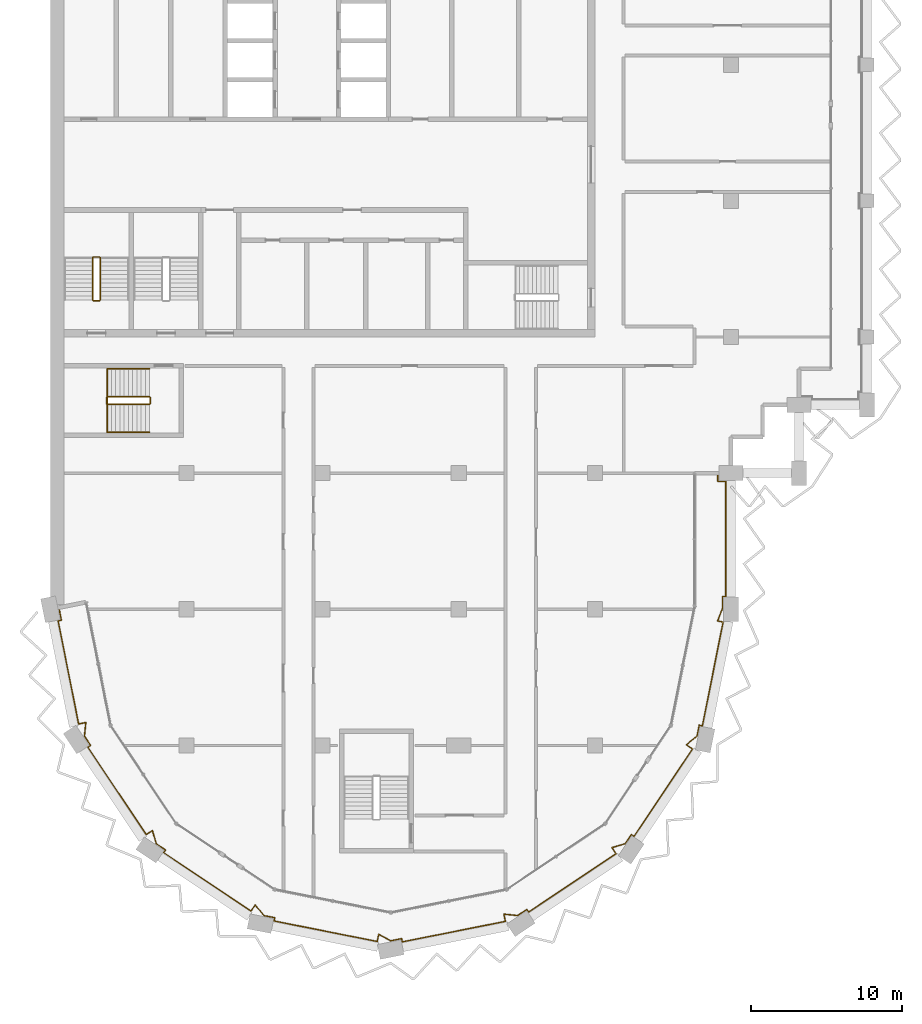
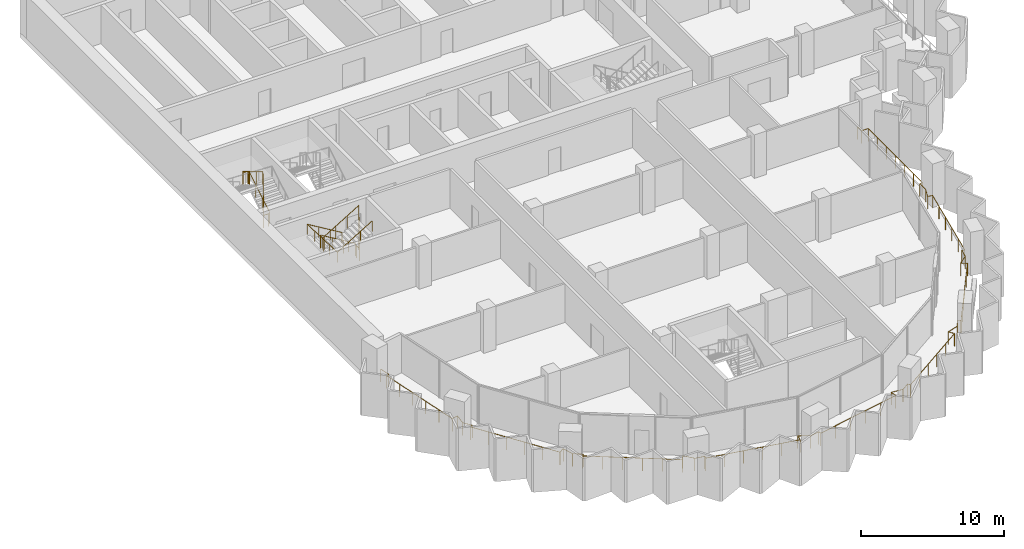
# One storey, part 14 of 16: 4 railings.
"""IFC4 building model written with IfcOpenShell, lengths in metres."""

from ifc_helpers import new_model, si_unit, direction, frame, origin, origin_2d, place, context, subcontext, project, spatial, circle, extrude, material, type_object, element, save


model = new_model("IFC4")

# Units and contexts
model_context = context("Model", 3, precision=1e-05, world=origin(), true_north=direction((0.0, 1.0)))
body_context = subcontext(model_context, "Body", "Model", "MODEL_VIEW")
ifc_project = project(units=[si_unit("LENGTHUNIT", "METRE"), si_unit("AREAUNIT", "SQUARE_METRE"), si_unit("VOLUMEUNIT", "CUBIC_METRE"), si_unit("PLANEANGLEUNIT", "RADIAN"), si_unit("MASSUNIT", "GRAM", prefix="KILO")], contexts=[model_context])

# Site, building, storey
site_placement = place(None, origin())
site = spatial("IfcSite", under=ifc_project, at=site_placement, CompositionType="ELEMENT")
building_placement = place(site_placement, origin())
building = spatial("IfcBuilding", under=site, at=building_placement, Name="Hunhe Ridgeline Campus", CompositionType="ELEMENT")
storey_placement = place(building_placement, frame((0.0, 0.0, 246.60009765625)))
storey = spatial("IfcBuildingStorey", under=building, at=storey_placement, Name="L63", CompositionType="ELEMENT", Elevation=246.60009765625)

# Railings
ifc_material_1 = material(Name="Steel Q355", Category="steel")
railing_type_1 = type_object("IfcRailingType", Name="Loggia guard 1100 Steel Q355", PredefinedType="GUARDRAIL", material=ifc_material_1)
railing_1_placement = place(storey_placement, frame((0.55908203125, 45.111083984375, 0.0)))
element("IfcRailing", 1, at=railing_1_placement, inside=storey, type_object=railing_type_1, Name="Loggia guard 1", PredefinedType="GUARDRAIL", context=body_context, shape_type="SweptSolid", body=[
    extrude(circle(Radius=0.02392578125, at=origin_2d()), frame((0.0, 0.0, 1.076171875), z_axis=(0.195066328581, -0.980790052689, 0.0), x_axis=(0.980790052689, 0.195066328581, 0.0)), (0.0, 0.0, 1.0), 0.849853515625),
    extrude(circle(Radius=0.02392578125, at=origin_2d()), frame((0.165771484375, -0.83349609375, 1.076171875), z_axis=(-0.980750988442, -0.195262640233, 0.0), x_axis=(0.195262640233, -0.980750988442, 0.0)), (0.0, 0.0, 1.0), 0.219970703125),
    extrude(circle(Radius=0.02392578125, at=origin_2d()), frame((-0.050048828125, -0.87646484375, 1.076171875), z_axis=(0.1951025318, -0.980782851647, 0.0), x_axis=(0.980782851647, 0.1951025318, 0.0)), (0.0, 0.0, 1.0), 6.94873046875),
    extrude(circle(Radius=0.02392578125, at=origin_2d()), frame((1.3056640625, -7.691650390625, 1.076171875), z_axis=(0.980791706313, 0.195058014004, 0.0), x_axis=(-0.195058014004, 0.980791706313, 0.0)), (0.0, 0.0, 1.0), 0.488037109375),
    extrude(circle(Radius=0.02392578125, at=origin_2d()), frame((1.784423828125, -7.596435546875, 1.076171875), z_axis=(-0.103312201106, -0.994648977832, 0.0), x_axis=(0.994648977832, -0.103312201106, 0.0)), (0.0, 0.0, 1.0), 0.907470703125),
    extrude(circle(Radius=0.02392578125, at=origin_2d()), frame((1.690673828125, -8.4990234375, 1.076171875), z_axis=(0.555464783965, -0.831540061437, 0.0), x_axis=(0.831540061437, 0.555464783965, 0.0)), (0.0, 0.0, 1.0), 0.736572265625),
    extrude(circle(Radius=0.02392578125, at=origin_2d()), frame((2.099853515625, -9.111572265625, 1.076171875), z_axis=(-0.831708467209, -0.555212594933, 0.0), x_axis=(0.555212594933, -0.831708467209, 0.0)), (0.0, 0.0, 1.0), 0.219970703125),
    extrude(circle(Radius=0.02392578125, at=origin_2d()), frame((1.9169921875, -9.233642578125, 1.076171875), z_axis=(0.555559363791, -0.831476874786, 0.0), x_axis=(0.831476874786, 0.555559363791, 0.0)), (0.0, 0.0, 1.0), 6.948486328125),
    extrude(circle(Radius=0.02392578125, at=origin_2d()), frame((5.77734375, -15.01123046875, 1.076171875), z_axis=(0.831588140797, 0.555392801615, 0.0), x_axis=(-0.555392801615, 0.831588140797, 0.0)), (0.0, 0.0, 1.0), 0.488037109375),
    extrude(circle(Radius=0.02392578125, at=origin_2d()), frame((6.18310546875, -14.740234375, 1.076171875), z_axis=(0.285150626135, -0.958482717849, 0.0), x_axis=(0.958482717849, 0.285150626135, 0.0)), (0.0, 0.0, 1.0), 0.907470703125),
    extrude(circle(Radius=0.02392578125, at=origin_2d()), frame((6.44189453125, -15.610107421875, 1.076171875), z_axis=(0.831540061437, -0.555464783965, 0.0), x_axis=(0.555464783965, 0.831540061437, 0.0)), (0.0, 0.0, 1.0), 0.736572265625),
    extrude(circle(Radius=0.02392578125, at=origin_2d()), frame((7.054443359375, -16.019287109375, 1.076171875), z_axis=(-0.555980009223, -0.831195662491, 0.0), x_axis=(0.831195662491, -0.555980009223, 0.0)), (0.0, 0.0, 1.0), 0.219970703125),
    extrude(circle(Radius=0.02392578125, at=origin_2d()), frame((6.93212890625, -16.2021484375, 1.076171875), z_axis=(0.831460644532, -0.555583654003, 0.0), x_axis=(0.555583654003, 0.831460644532, 0.0)), (0.0, 0.0, 1.0), 6.94873046875),
    extrude(circle(Radius=0.02392578125, at=origin_2d()), frame((12.709716796875, -20.062744140625, 1.076171875), z_axis=(0.555507638283, 0.831511433361, 0.0), x_axis=(-0.831511433361, 0.555507638283, 0.0)), (0.0, 0.0, 1.0), 0.48828125),
    extrude(circle(Radius=0.02392578125, at=origin_2d()), frame((12.98095703125, -19.65673828125, 1.076171875), z_axis=(0.630288754525, -0.776360796227, 0.0), x_axis=(0.776360796227, 0.630288754525, 0.0)), (0.0, 0.0, 1.0), 0.907470703125),
    extrude(circle(Radius=0.02392578125, at=origin_2d()), frame((13.552978515625, -20.361328125, 1.076171875), z_axis=(0.980758742397, -0.19522369019, 0.0), x_axis=(0.19522369019, 0.980758742397, 0.0)), (0.0, 0.0, 1.0), 0.736572265625),
    extrude(circle(Radius=0.02392578125, at=origin_2d()), frame((14.275390625, -20.505126953125, 1.076171875), z_axis=(-0.195262640233, -0.980750988442, 0.0), x_axis=(0.980750988442, -0.195262640233, 0.0)), (0.0, 0.0, 1.0), 0.219970703125),
    extrude(circle(Radius=0.02392578125, at=origin_2d()), frame((14.232421875, -20.720947265625, 1.076171875), z_axis=(0.980789574233, -0.195068734234, 0.0), x_axis=(0.195068734234, 0.980789574233, 0.0)), (0.0, 0.0, 1.0), 6.94873046875),
    extrude(circle(Radius=0.02392578125, at=origin_2d()), frame((21.047607421875, -22.076416015625, 1.076171875), z_axis=(0.195153744134, 0.980772662828, 0.0), x_axis=(-0.980772662828, 0.195153744134, 0.0)), (0.0, 0.0, 1.0), 0.48779296875),
    extrude(circle(Radius=0.02392578125, at=origin_2d()), frame((21.142822265625, -21.597900390625, 1.076171875), z_axis=(0.879371752487, -0.476135821934, 0.0), x_axis=(0.476135821934, 0.879371752487, 0.0)), (0.0, 0.0, 1.0), 0.907470703125),
    extrude(circle(Radius=0.02392578125, at=origin_2d()), frame((21.94091796875, -22.030029296875, 1.076171875), z_axis=(0.980758742397, 0.19522369019, 0.0), x_axis=(-0.19522369019, 0.980758742397, 0.0)), (0.0, 0.0, 1.0), 0.736572265625),
    extrude(circle(Radius=0.02392578125, at=origin_2d()), frame((22.663330078125, -21.88623046875, 1.076171875), z_axis=(0.195262640233, -0.980750988442, 0.0), x_axis=(0.980750988442, 0.195262640233, 0.0)), (0.0, 0.0, 1.0), 0.219970703125),
    extrude(circle(Radius=0.02392578125, at=origin_2d()), frame((22.706298828125, -22.10205078125, 1.076171875), z_axis=(0.980782851647, 0.1951025318, 0.0), x_axis=(-0.1951025318, 0.980782851647, 0.0)), (0.0, 0.0, 1.0), 6.94873046875),
    extrude(circle(Radius=0.02392578125, at=origin_2d()), frame((29.521484375, -20.746337890625, 1.076171875), z_axis=(-0.195058014004, 0.980791706313, 0.0), x_axis=(-0.980791706313, -0.195058014004, 0.0)), (0.0, 0.0, 1.0), 0.488037109375),
    extrude(circle(Radius=0.02392578125, at=origin_2d()), frame((29.42626953125, -20.267578125, 1.076171875), z_axis=(0.994648977832, -0.103312201106, 0.0), x_axis=(0.103312201106, 0.994648977832, 0.0)), (0.0, 0.0, 1.0), 0.907470703125),
    extrude(circle(Radius=0.02392578125, at=origin_2d()), frame((30.328857421875, -20.361328125, 1.076171875), z_axis=(0.831540061437, 0.555464783965, 0.0), x_axis=(-0.555464783965, 0.831540061437, 0.0)), (0.0, 0.0, 1.0), 0.736572265625),
    extrude(circle(Radius=0.02392578125, at=origin_2d()), frame((30.94140625, -19.9521484375, 1.076171875), z_axis=(0.555212594933, -0.831708467209, 0.0), x_axis=(0.831708467209, 0.555212594933, 0.0)), (0.0, 0.0, 1.0), 0.219970703125),
    extrude(circle(Radius=0.02392578125, at=origin_2d()), frame((31.0634765625, -20.135009765625, 1.076171875), z_axis=(0.831476874786, 0.555559363791, 0.0), x_axis=(-0.555559363791, 0.831476874786, 0.0)), (0.0, 0.0, 1.0), 6.948486328125),
    extrude(circle(Radius=0.02392578125, at=origin_2d()), frame((36.841064453125, -16.274658203125, 1.076171875), z_axis=(-0.555392801615, 0.831588140797, 0.0), x_axis=(-0.831588140797, -0.555392801615, 0.0)), (0.0, 0.0, 1.0), 0.488037109375),
    extrude(circle(Radius=0.02392578125, at=origin_2d()), frame((36.570068359375, -15.868896484375, 1.076171875), z_axis=(0.958482717849, 0.285150626135, 0.0), x_axis=(-0.285150626135, 0.958482717849, 0.0)), (0.0, 0.0, 1.0), 0.907470703125),
    extrude(circle(Radius=0.02392578125, at=origin_2d()), frame((37.43994140625, -15.610107421875, 1.076171875), z_axis=(0.555464783965, 0.831540061437, 0.0), x_axis=(-0.831540061437, 0.555464783965, 0.0)), (0.0, 0.0, 1.0), 0.736572265625),
    extrude(circle(Radius=0.02392578125, at=origin_2d()), frame((37.84912109375, -14.99755859375, 1.076171875), z_axis=(0.831195662491, -0.555980009223, 0.0), x_axis=(0.555980009223, 0.831195662491, 0.0)), (0.0, 0.0, 1.0), 0.219970703125),
    extrude(circle(Radius=0.02392578125, at=origin_2d()), frame((38.031982421875, -15.119873046875, 1.076171875), z_axis=(0.555583654003, 0.831460644532, 0.0), x_axis=(-0.831460644532, 0.555583654003, 0.0)), (0.0, 0.0, 1.0), 6.94873046875),
    extrude(circle(Radius=0.02392578125, at=origin_2d()), frame((41.892578125, -9.34228515625, 1.076171875), z_axis=(-0.831511433361, 0.555507638283, 0.0), x_axis=(-0.555507638283, -0.831511433361, 0.0)), (0.0, 0.0, 1.0), 0.48828125),
    extrude(circle(Radius=0.02392578125, at=origin_2d()), frame((41.486572265625, -9.071044921875, 1.076171875), z_axis=(0.776360796227, 0.630288754525, 0.0), x_axis=(-0.630288754525, 0.776360796227, 0.0)), (0.0, 0.0, 1.0), 0.907470703125),
    extrude(circle(Radius=0.02392578125, at=origin_2d()), frame((42.191162109375, -8.4990234375, 1.076171875), z_axis=(0.19522369019, 0.980758742397, 0.0), x_axis=(-0.980758742397, 0.19522369019, 0.0)), (0.0, 0.0, 1.0), 0.736572265625),
    extrude(circle(Radius=0.02392578125, at=origin_2d()), frame((42.3349609375, -7.776611328125, 1.076171875), z_axis=(0.980750988442, -0.195262640233, 0.0), x_axis=(0.195262640233, 0.980750988442, 0.0)), (0.0, 0.0, 1.0), 0.219970703125),
    extrude(circle(Radius=0.02392578125, at=origin_2d()), frame((42.55078125, -7.819580078125, 1.076171875), z_axis=(0.195082678264, 0.980786800809, 0.0), x_axis=(-0.980786800809, 0.195082678264, 0.0)), (0.0, 0.0, 1.0), 6.9970703125),
    extrude(circle(Radius=0.02392578125, at=origin_2d()), frame((43.915771484375, -0.95703125, 1.076171875), z_axis=(-0.980759647752, 0.195219141842, 0.0), x_axis=(-0.195219141842, -0.980759647752, 0.0)), (0.0, 0.0, 1.0), 0.366455078125),
    extrude(circle(Radius=0.02392578125, at=origin_2d()), frame((43.556396484375, -0.885498046875, 1.076171875), z_axis=(0.354074070723, 0.935217382453, 0.0), x_axis=(-0.935217382453, 0.354074070723, 0.0)), (0.0, 0.0, 1.0), 0.88818359375),
    extrude(circle(Radius=0.02392578125, at=origin_2d()), frame((43.870849609375, -0.054931640625, 1.076171875), z_axis=(0.0, 1.0, 0.0), x_axis=(-1.0, 0.0, 0.0)), (0.0, 0.0, 1.0), 0.7939453125),
    extrude(circle(Radius=0.02392578125, at=origin_2d()), frame((43.870849609375, 0.739013671875, 1.076171875), z_axis=(1.0, 0.0, 0.0), x_axis=(0.0, 1.0, 0.0)), (0.0, 0.0, 1.0), 0.219970703125),
    extrude(circle(Radius=0.02392578125, at=origin_2d()), frame((44.0908203125, 0.739013671875, 1.076171875), z_axis=(0.0, 1.0, 0.0), x_axis=(-1.0, 0.0, 0.0)), (0.0, 0.0, 1.0), 7.599853515625),
    extrude(circle(Radius=0.02392578125, at=origin_2d()), frame((44.0908203125, 8.3388671875, 1.076171875), z_axis=(-1.0, 0.0, 0.0), x_axis=(0.0, -1.0, 0.0)), (0.0, 0.0, 1.0), 0.52001953125),
    extrude(circle(Radius=0.02392578125, at=origin_2d()), frame((43.57080078125, 8.3388671875, 1.076171875), z_axis=(0.0, 1.0, 0.0), x_axis=(-1.0, 0.0, 0.0)), (0.0, 0.0, 1.0), 0.550048828125),
    extrude(circle(Radius=0.02099609375, at=origin_2d()), origin(), (0.0, 0.0, 1.0), 1.052001953125),
    extrude(circle(Radius=0.02099609375, at=origin_2d()), frame((0.165771484375, -0.83349609375, 0.0)), (0.0, 0.0, 1.0), 1.052001953125),
    extrude(circle(Radius=0.02099609375, at=origin_2d()), frame((-0.050048828125, -0.87646484375, 0.0)), (0.0, 0.0, 1.0), 1.052001953125),
    extrude(circle(Radius=0.02099609375, at=origin_2d()), frame((0.22119140625, -2.239501953125, 0.0)), (0.0, 0.0, 1.0), 1.052001953125),
    extrude(circle(Radius=0.02099609375, at=origin_2d()), frame((0.4921875, -3.6025390625, 0.0)), (0.0, 0.0, 1.0), 1.052001953125),
    extrude(circle(Radius=0.02099609375, at=origin_2d()), frame((0.763427734375, -4.965576171875, 0.0)), (0.0, 0.0, 1.0), 1.052001953125),
    extrude(circle(Radius=0.02099609375, at=origin_2d()), frame((1.034423828125, -6.32861328125, 0.0)), (0.0, 0.0, 1.0), 1.052001953125),
    extrude(circle(Radius=0.02099609375, at=origin_2d()), frame((1.3056640625, -7.691650390625, 0.0)), (0.0, 0.0, 1.0), 1.052001953125),
    extrude(circle(Radius=0.02099609375, at=origin_2d()), frame((1.784423828125, -7.596435546875, 0.0)), (0.0, 0.0, 1.0), 1.052001953125),
    extrude(circle(Radius=0.02099609375, at=origin_2d()), frame((1.690673828125, -8.4990234375, 0.0)), (0.0, 0.0, 1.0), 1.052001953125),
    extrude(circle(Radius=0.02099609375, at=origin_2d()), frame((2.099853515625, -9.111572265625, 0.0)), (0.0, 0.0, 1.0), 1.052001953125),
    extrude(circle(Radius=0.02099609375, at=origin_2d()), frame((1.9169921875, -9.233642578125, 0.0)), (0.0, 0.0, 1.0), 1.052001953125),
    extrude(circle(Radius=0.02099609375, at=origin_2d()), frame((2.68896484375, -10.38916015625, 0.0)), (0.0, 0.0, 1.0), 1.052001953125),
    extrude(circle(Radius=0.02099609375, at=origin_2d()), frame((3.461181640625, -11.544677734375, 0.0)), (0.0, 0.0, 1.0), 1.052001953125),
    extrude(circle(Radius=0.02099609375, at=origin_2d()), frame((4.233154296875, -12.7001953125, 0.0)), (0.0, 0.0, 1.0), 1.052001953125),
    extrude(circle(Radius=0.02099609375, at=origin_2d()), frame((5.00537109375, -13.855712890625, 0.0)), (0.0, 0.0, 1.0), 1.052001953125),
    extrude(circle(Radius=0.02099609375, at=origin_2d()), frame((5.77734375, -15.01123046875, 0.0)), (0.0, 0.0, 1.0), 1.052001953125),
    extrude(circle(Radius=0.02099609375, at=origin_2d()), frame((6.18310546875, -14.740234375, 0.0)), (0.0, 0.0, 1.0), 1.052001953125),
    extrude(circle(Radius=0.02099609375, at=origin_2d()), frame((6.44189453125, -15.610107421875, 0.0)), (0.0, 0.0, 1.0), 1.052001953125),
    extrude(circle(Radius=0.02099609375, at=origin_2d()), frame((7.054443359375, -16.019287109375, 0.0)), (0.0, 0.0, 1.0), 1.052001953125),
    extrude(circle(Radius=0.02099609375, at=origin_2d()), frame((6.93212890625, -16.2021484375, 0.0)), (0.0, 0.0, 1.0), 1.052001953125),
    extrude(circle(Radius=0.02099609375, at=origin_2d()), frame((8.087646484375, -16.974365234375, 0.0)), (0.0, 0.0, 1.0), 1.052001953125),
    extrude(circle(Radius=0.02099609375, at=origin_2d()), frame((9.2431640625, -17.746337890625, 0.0)), (0.0, 0.0, 1.0), 1.052001953125),
    extrude(circle(Radius=0.02099609375, at=origin_2d()), frame((10.398681640625, -18.5185546875, 0.0)), (0.0, 0.0, 1.0), 1.052001953125),
    extrude(circle(Radius=0.02099609375, at=origin_2d()), frame((11.55419921875, -19.29052734375, 0.0)), (0.0, 0.0, 1.0), 1.052001953125),
    extrude(circle(Radius=0.02099609375, at=origin_2d()), frame((12.709716796875, -20.062744140625, 0.0)), (0.0, 0.0, 1.0), 1.052001953125),
    extrude(circle(Radius=0.02099609375, at=origin_2d()), frame((12.98095703125, -19.65673828125, 0.0)), (0.0, 0.0, 1.0), 1.052001953125),
    extrude(circle(Radius=0.02099609375, at=origin_2d()), frame((13.552978515625, -20.361328125, 0.0)), (0.0, 0.0, 1.0), 1.052001953125),
    extrude(circle(Radius=0.02099609375, at=origin_2d()), frame((14.275390625, -20.505126953125, 0.0)), (0.0, 0.0, 1.0), 1.052001953125),
    extrude(circle(Radius=0.02099609375, at=origin_2d()), frame((14.232421875, -20.720947265625, 0.0)), (0.0, 0.0, 1.0), 1.052001953125),
    extrude(circle(Radius=0.02099609375, at=origin_2d()), frame((15.595458984375, -20.991943359375, 0.0)), (0.0, 0.0, 1.0), 1.052001953125),
    extrude(circle(Radius=0.02099609375, at=origin_2d()), frame((16.95849609375, -21.26318359375, 0.0)), (0.0, 0.0, 1.0), 1.052001953125),
    extrude(circle(Radius=0.02099609375, at=origin_2d()), frame((18.321533203125, -21.5341796875, 0.0)), (0.0, 0.0, 1.0), 1.052001953125),
    extrude(circle(Radius=0.02099609375, at=origin_2d()), frame((19.6845703125, -21.805419921875, 0.0)), (0.0, 0.0, 1.0), 1.052001953125),
    extrude(circle(Radius=0.02099609375, at=origin_2d()), frame((21.047607421875, -22.076416015625, 0.0)), (0.0, 0.0, 1.0), 1.052001953125),
    extrude(circle(Radius=0.02099609375, at=origin_2d()), frame((21.142822265625, -21.597900390625, 0.0)), (0.0, 0.0, 1.0), 1.052001953125),
    extrude(circle(Radius=0.02099609375, at=origin_2d()), frame((21.94091796875, -22.030029296875, 0.0)), (0.0, 0.0, 1.0), 1.052001953125),
    extrude(circle(Radius=0.02099609375, at=origin_2d()), frame((22.663330078125, -21.88623046875, 0.0)), (0.0, 0.0, 1.0), 1.052001953125),
    extrude(circle(Radius=0.02099609375, at=origin_2d()), frame((22.706298828125, -22.10205078125, 0.0)), (0.0, 0.0, 1.0), 1.052001953125),
    extrude(circle(Radius=0.02099609375, at=origin_2d()), frame((24.0693359375, -21.830810546875, 0.0)), (0.0, 0.0, 1.0), 1.052001953125),
    extrude(circle(Radius=0.02099609375, at=origin_2d()), frame((25.432373046875, -21.559814453125, 0.0)), (0.0, 0.0, 1.0), 1.052001953125),
    extrude(circle(Radius=0.02099609375, at=origin_2d()), frame((26.79541015625, -21.28857421875, 0.0)), (0.0, 0.0, 1.0), 1.052001953125),
    extrude(circle(Radius=0.02099609375, at=origin_2d()), frame((28.158447265625, -21.017578125, 0.0)), (0.0, 0.0, 1.0), 1.052001953125),
    extrude(circle(Radius=0.02099609375, at=origin_2d()), frame((29.521484375, -20.746337890625, 0.0)), (0.0, 0.0, 1.0), 1.052001953125),
    extrude(circle(Radius=0.02099609375, at=origin_2d()), frame((29.42626953125, -20.267578125, 0.0)), (0.0, 0.0, 1.0), 1.052001953125),
    extrude(circle(Radius=0.02099609375, at=origin_2d()), frame((30.328857421875, -20.361328125, 0.0)), (0.0, 0.0, 1.0), 1.052001953125),
    extrude(circle(Radius=0.02099609375, at=origin_2d()), frame((30.94140625, -19.9521484375, 0.0)), (0.0, 0.0, 1.0), 1.052001953125),
    extrude(circle(Radius=0.02099609375, at=origin_2d()), frame((31.0634765625, -20.135009765625, 0.0)), (0.0, 0.0, 1.0), 1.052001953125),
    extrude(circle(Radius=0.02099609375, at=origin_2d()), frame((32.218994140625, -19.363037109375, 0.0)), (0.0, 0.0, 1.0), 1.052001953125),
    extrude(circle(Radius=0.02099609375, at=origin_2d()), frame((33.37451171875, -18.5908203125, 0.0)), (0.0, 0.0, 1.0), 1.052001953125),
    extrude(circle(Radius=0.02099609375, at=origin_2d()), frame((34.530029296875, -17.81884765625, 0.0)), (0.0, 0.0, 1.0), 1.052001953125),
    extrude(circle(Radius=0.02099609375, at=origin_2d()), frame((35.685546875, -17.046630859375, 0.0)), (0.0, 0.0, 1.0), 1.052001953125),
    extrude(circle(Radius=0.02099609375, at=origin_2d()), frame((36.841064453125, -16.274658203125, 0.0)), (0.0, 0.0, 1.0), 1.052001953125),
    extrude(circle(Radius=0.02099609375, at=origin_2d()), frame((36.570068359375, -15.868896484375, 0.0)), (0.0, 0.0, 1.0), 1.052001953125),
    extrude(circle(Radius=0.02099609375, at=origin_2d()), frame((37.43994140625, -15.610107421875, 0.0)), (0.0, 0.0, 1.0), 1.052001953125),
    extrude(circle(Radius=0.02099609375, at=origin_2d()), frame((37.84912109375, -14.99755859375, 0.0)), (0.0, 0.0, 1.0), 1.052001953125),
    extrude(circle(Radius=0.02099609375, at=origin_2d()), frame((38.031982421875, -15.119873046875, 0.0)), (0.0, 0.0, 1.0), 1.052001953125),
    extrude(circle(Radius=0.02099609375, at=origin_2d()), frame((38.80419921875, -13.96435546875, 0.0)), (0.0, 0.0, 1.0), 1.052001953125),
    extrude(circle(Radius=0.02099609375, at=origin_2d()), frame((39.576171875, -12.808837890625, 0.0)), (0.0, 0.0, 1.0), 1.052001953125),
    extrude(circle(Radius=0.02099609375, at=origin_2d()), frame((40.348388671875, -11.6533203125, 0.0)), (0.0, 0.0, 1.0), 1.052001953125),
    extrude(circle(Radius=0.02099609375, at=origin_2d()), frame((41.120361328125, -10.497802734375, 0.0)), (0.0, 0.0, 1.0), 1.052001953125),
    extrude(circle(Radius=0.02099609375, at=origin_2d()), frame((41.892578125, -9.34228515625, 0.0)), (0.0, 0.0, 1.0), 1.052001953125),
    extrude(circle(Radius=0.02099609375, at=origin_2d()), frame((41.486572265625, -9.071044921875, 0.0)), (0.0, 0.0, 1.0), 1.052001953125),
    extrude(circle(Radius=0.02099609375, at=origin_2d()), frame((42.191162109375, -8.4990234375, 0.0)), (0.0, 0.0, 1.0), 1.052001953125),
    extrude(circle(Radius=0.02099609375, at=origin_2d()), frame((42.3349609375, -7.776611328125, 0.0)), (0.0, 0.0, 1.0), 1.052001953125),
    extrude(circle(Radius=0.02099609375, at=origin_2d()), frame((42.55078125, -7.819580078125, 0.0)), (0.0, 0.0, 1.0), 1.052001953125),
    extrude(circle(Radius=0.02099609375, at=origin_2d()), frame((42.82373046875, -6.447021484375, 0.0)), (0.0, 0.0, 1.0), 1.052001953125),
    extrude(circle(Radius=0.02099609375, at=origin_2d()), frame((43.0966796875, -5.074462890625, 0.0)), (0.0, 0.0, 1.0), 1.052001953125),
    extrude(circle(Radius=0.02099609375, at=origin_2d()), frame((43.369873046875, -3.7021484375, 0.0)), (0.0, 0.0, 1.0), 1.052001953125),
    extrude(circle(Radius=0.02099609375, at=origin_2d()), frame((43.642822265625, -2.32958984375, 0.0)), (0.0, 0.0, 1.0), 1.052001953125),
    extrude(circle(Radius=0.02099609375, at=origin_2d()), frame((43.915771484375, -0.95703125, 0.0)), (0.0, 0.0, 1.0), 1.052001953125),
    extrude(circle(Radius=0.02099609375, at=origin_2d()), frame((43.556396484375, -0.885498046875, 0.0)), (0.0, 0.0, 1.0), 1.052001953125),
    extrude(circle(Radius=0.02099609375, at=origin_2d()), frame((43.870849609375, -0.054931640625, 0.0)), (0.0, 0.0, 1.0), 1.052001953125),
    extrude(circle(Radius=0.02099609375, at=origin_2d()), frame((43.870849609375, 0.739013671875, 0.0)), (0.0, 0.0, 1.0), 1.052001953125),
    extrude(circle(Radius=0.02099609375, at=origin_2d()), frame((44.0908203125, 0.739013671875, 0.0)), (0.0, 0.0, 1.0), 1.052001953125),
    extrude(circle(Radius=0.02099609375, at=origin_2d()), frame((44.0908203125, 2.005615234375, 0.0)), (0.0, 0.0, 1.0), 1.052001953125),
    extrude(circle(Radius=0.02099609375, at=origin_2d()), frame((44.0908203125, 3.272216796875, 0.0)), (0.0, 0.0, 1.0), 1.052001953125),
    extrude(circle(Radius=0.02099609375, at=origin_2d()), frame((44.0908203125, 4.5390625, 0.0)), (0.0, 0.0, 1.0), 1.052001953125),
    extrude(circle(Radius=0.02099609375, at=origin_2d()), frame((44.0908203125, 5.8056640625, 0.0)), (0.0, 0.0, 1.0), 1.052001953125),
    extrude(circle(Radius=0.02099609375, at=origin_2d()), frame((44.0908203125, 7.072265625, 0.0)), (0.0, 0.0, 1.0), 1.052001953125),
    extrude(circle(Radius=0.02099609375, at=origin_2d()), frame((44.0908203125, 8.3388671875, 0.0)), (0.0, 0.0, 1.0), 1.052001953125),
    extrude(circle(Radius=0.02099609375, at=origin_2d()), frame((43.57080078125, 8.3388671875, 0.0)), (0.0, 0.0, 1.0), 1.052001953125),
    extrude(circle(Radius=0.02099609375, at=origin_2d()), frame((43.57080078125, 8.888916015625, 0.0)), (0.0, 0.0, 1.0), 1.052001953125),
])
ifc_material_2 = material(Name="Stainless steel balustrade", Category="steel")
railing_type_2 = type_object("IfcRailingType", Name="Stair guard 1100 stainless", PredefinedType="GUARDRAIL", material=ifc_material_2)
railing_2_placement = place(storey_placement, frame((3.300048828125, 65.449951171875, 0.16796875)))
element("IfcRailing", 2, at=railing_2_placement, inside=storey, type_object=railing_type_2, Name="L63 stair S3 guard", PredefinedType="GUARDRAIL", context=body_context, shape_type="SweptSolid", body=[
    extrude(circle(Radius=0.02392578125, at=origin_2d()), frame((0.0, 0.0, 1.076171875), z_axis=(0.0, 0.857242210791, 0.514913383045), x_axis=(-1.0, 0.0, 0.0)), (0.0, 0.0, 1.0), 3.266357421875),
    extrude(circle(Radius=0.02392578125, at=origin_2d()), frame((0.0, 2.800048828125, 2.7578125), z_axis=(-0.707106781187, 0.707106781187, 0.0), x_axis=(-0.707106781187, -0.707106781187, 0.0)), (0.0, 0.0, 1.0), 0.07080078125),
    extrude(circle(Radius=0.02392578125, at=origin_2d()), frame((-0.050048828125, 2.85009765625, 2.7578125), z_axis=(-1.0, 0.0, 0.0), x_axis=(0.0, -1.0, 0.0)), (0.0, 0.0, 1.0), 0.39990234375),
    extrude(circle(Radius=0.02392578125, at=origin_2d()), frame((-0.449951171875, 2.85009765625, 2.7578125), z_axis=(-0.274243871929, -0.274243871929, 0.92172696468), x_axis=(0.707106781187, -0.707106781187, 0.0)), (0.0, 0.0, 1.0), 0.1826171875),
    extrude(circle(Radius=0.02392578125, at=origin_2d()), frame((-0.5, 2.800048828125, 2.92626953125), z_axis=(0.0, -0.857242210791, 0.514913383045), x_axis=(1.0, 0.0, 0.0)), (0.0, 0.0, 1.0), 3.266357421875),
    extrude(circle(Radius=0.02392578125, at=origin_2d()), frame((-0.5, 0.0, 4.60791015625), z_axis=(0.013524414389, -0.013524414389, -0.999817073484), x_axis=(0.707106781187, 0.707106781187, 0.0)), (0.0, 0.0, 1.0), 3.70068359375),
    extrude(circle(Radius=0.02392578125, at=origin_2d()), frame((-0.449951171875, -0.050048828125, 0.908203125), z_axis=(1.0, 0.0, 0.0), x_axis=(0.0, 1.0, 0.0)), (0.0, 0.0, 1.0), 0.39990234375),
    extrude(circle(Radius=0.02099609375, at=origin_2d()), origin(), (0.0, 0.0, 1.0), 1.052001953125),
    extrude(circle(Radius=0.02099609375, at=origin_2d()), frame((0.0, 0.933349609375, 0.560546875)), (0.0, 0.0, 1.0), 1.052001953125),
    extrude(circle(Radius=0.02099609375, at=origin_2d()), frame((0.0, 1.86669921875, 1.121337890625)), (0.0, 0.0, 1.0), 1.052001953125),
    extrude(circle(Radius=0.02099609375, at=origin_2d()), frame((0.0, 2.800048828125, 1.681884765625)), (0.0, 0.0, 1.0), 1.052001953125),
    extrude(circle(Radius=0.02099609375, at=origin_2d()), frame((-0.050048828125, 2.85009765625, 1.681884765625)), (0.0, 0.0, 1.0), 1.052001953125),
    extrude(circle(Radius=0.02099609375, at=origin_2d()), frame((-0.449951171875, 2.85009765625, 1.681884765625)), (0.0, 0.0, 1.0), 1.052001953125),
    extrude(circle(Radius=0.02099609375, at=origin_2d()), frame((-0.5, 2.800048828125, 1.85009765625)), (0.0, 0.0, 1.0), 1.052001953125),
    extrude(circle(Radius=0.02099609375, at=origin_2d()), frame((-0.5, 1.86669921875, 2.41064453125)), (0.0, 0.0, 1.0), 1.052001953125),
    extrude(circle(Radius=0.02099609375, at=origin_2d()), frame((-0.5, 0.933349609375, 2.971435546875)), (0.0, 0.0, 1.0), 1.052001953125),
    extrude(circle(Radius=0.02099609375, at=origin_2d()), frame((-0.5, 0.0, 3.531982421875)), (0.0, 0.0, 1.0), 1.052001953125),
    extrude(circle(Radius=0.02099609375, at=origin_2d()), frame((-0.487548828125, -0.012451171875, 2.60693359375)), (0.0, 0.0, 1.0), 1.052001953125),
    extrude(circle(Radius=0.02099609375, at=origin_2d()), frame((-0.47509765625, -0.02490234375, 1.68212890625)), (0.0, 0.0, 1.0), 1.052001953125),
    extrude(circle(Radius=0.02099609375, at=origin_2d()), frame((-0.46240234375, -0.03759765625, 0.757080078125)), (0.0, 0.0, 1.0), 1.052001953125),
    extrude(circle(Radius=0.02099609375, at=origin_2d()), frame((-0.449951171875, -0.050048828125, -0.16796875)), (0.0, 0.0, 1.0), 1.052001953125),
    extrude(circle(Radius=0.02099609375, at=origin_2d()), frame((-0.050048828125, -0.050048828125, -0.16796875)), (0.0, 0.0, 1.0), 1.052001953125),
])
railing_3_placement = place(storey_placement, frame((6.550048828125, 59.050048828125, 0.16796875)))
element("IfcRailing", 3, at=railing_3_placement, inside=storey, type_object=railing_type_2, Name="L63 stair W2 guard", PredefinedType="GUARDRAIL", context=body_context, shape_type="SweptSolid", body=[
    extrude(circle(Radius=0.02392578125, at=origin_2d()), frame((0.0, 0.0, 1.076171875), z_axis=(-0.857242210791, 0.0, 0.514913383045), x_axis=(0.0, -1.0, 0.0)), (0.0, 0.0, 1.0), 3.266357421875),
    extrude(circle(Radius=0.02392578125, at=origin_2d()), frame((-2.800048828125, 0.0, 2.7578125), z_axis=(-0.707106781187, -0.707106781187, 0.0), x_axis=(0.707106781187, -0.707106781187, 0.0)), (0.0, 0.0, 1.0), 0.07080078125),
    extrude(circle(Radius=0.02392578125, at=origin_2d()), frame((-2.85009765625, -0.050048828125, 2.7578125), z_axis=(0.0, -1.0, 0.0), x_axis=(1.0, 0.0, 0.0)), (0.0, 0.0, 1.0), 0.39990234375),
    extrude(circle(Radius=0.02392578125, at=origin_2d()), frame((-2.85009765625, -0.449951171875, 2.7578125), z_axis=(0.274243871929, -0.274243871929, 0.92172696468), x_axis=(0.707106781187, 0.707106781187, 0.0)), (0.0, 0.0, 1.0), 0.1826171875),
    extrude(circle(Radius=0.02392578125, at=origin_2d()), frame((-2.800048828125, -0.5, 2.92626953125), z_axis=(0.857242210791, 0.0, 0.514913383045), x_axis=(0.0, 1.0, 0.0)), (0.0, 0.0, 1.0), 3.266357421875),
    extrude(circle(Radius=0.02392578125, at=origin_2d()), frame((0.0, -0.5, 4.60791015625), z_axis=(0.013524414389, 0.013524414389, -0.999817073484), x_axis=(-0.707106781187, 0.707106781187, 0.0)), (0.0, 0.0, 1.0), 3.70068359375),
    extrude(circle(Radius=0.02392578125, at=origin_2d()), frame((0.050048828125, -0.449951171875, 0.908203125), z_axis=(0.0, 1.0, 0.0), x_axis=(-1.0, 0.0, 0.0)), (0.0, 0.0, 1.0), 0.39990234375),
    extrude(circle(Radius=0.02099609375, at=origin_2d()), origin(), (0.0, 0.0, 1.0), 1.052001953125),
    extrude(circle(Radius=0.02099609375, at=origin_2d()), frame((-0.933349609375, 0.0, 0.560546875)), (0.0, 0.0, 1.0), 1.052001953125),
    extrude(circle(Radius=0.02099609375, at=origin_2d()), frame((-1.86669921875, 0.0, 1.121337890625)), (0.0, 0.0, 1.0), 1.052001953125),
    extrude(circle(Radius=0.02099609375, at=origin_2d()), frame((-2.800048828125, 0.0, 1.681884765625)), (0.0, 0.0, 1.0), 1.052001953125),
    extrude(circle(Radius=0.02099609375, at=origin_2d()), frame((-2.85009765625, -0.050048828125, 1.681884765625)), (0.0, 0.0, 1.0), 1.052001953125),
    extrude(circle(Radius=0.02099609375, at=origin_2d()), frame((-2.85009765625, -0.449951171875, 1.681884765625)), (0.0, 0.0, 1.0), 1.052001953125),
    extrude(circle(Radius=0.02099609375, at=origin_2d()), frame((-2.800048828125, -0.5, 1.85009765625)), (0.0, 0.0, 1.0), 1.052001953125),
    extrude(circle(Radius=0.02099609375, at=origin_2d()), frame((-1.86669921875, -0.5, 2.41064453125)), (0.0, 0.0, 1.0), 1.052001953125),
    extrude(circle(Radius=0.02099609375, at=origin_2d()), frame((-0.933349609375, -0.5, 2.971435546875)), (0.0, 0.0, 1.0), 1.052001953125),
    extrude(circle(Radius=0.02099609375, at=origin_2d()), frame((0.0, -0.5, 3.531982421875)), (0.0, 0.0, 1.0), 1.052001953125),
    extrude(circle(Radius=0.02099609375, at=origin_2d()), frame((0.012451171875, -0.487548828125, 2.60693359375)), (0.0, 0.0, 1.0), 1.052001953125),
    extrude(circle(Radius=0.02099609375, at=origin_2d()), frame((0.02490234375, -0.47509765625, 1.68212890625)), (0.0, 0.0, 1.0), 1.052001953125),
    extrude(circle(Radius=0.02099609375, at=origin_2d()), frame((0.03759765625, -0.46240234375, 0.757080078125)), (0.0, 0.0, 1.0), 1.052001953125),
    extrude(circle(Radius=0.02099609375, at=origin_2d()), frame((0.050048828125, -0.449951171875, -0.16796875)), (0.0, 0.0, 1.0), 1.052001953125),
    extrude(circle(Radius=0.02099609375, at=origin_2d()), frame((0.050048828125, -0.050048828125, -0.16796875)), (0.0, 0.0, 1.0), 1.052001953125),
])
ifc_material_3 = material(Name="Stainless steel handrail", Category="steel")
railing_type_3 = type_object("IfcRailingType", Name="Stair handrail 900 stainless", PredefinedType="HANDRAIL", material=ifc_material_3)
railing_4_placement = place(storey_placement, frame((6.550048828125, 60.89990234375, 0.16796875)))
element("IfcRailing", 4, at=railing_4_placement, inside=storey, type_object=railing_type_3, Name="L63 stair W2 handrail", PredefinedType="HANDRAIL", context=body_context, shape_type="SweptSolid", body=[
    extrude(circle(Radius=0.02392578125, at=origin_2d()), frame((0.0, 0.0, 0.8759765625), z_axis=(-0.857242210791, 0.0, 0.514913383045), x_axis=(0.0, -1.0, 0.0)), (0.0, 0.0, 1.0), 3.266357421875),
    extrude(circle(Radius=0.02392578125, at=origin_2d()), frame((-2.800048828125, 0.0, 2.5576171875), z_axis=(0.0, -0.999198916169, 0.040019069537), x_axis=(1.0, 0.0, 0.0)), (0.0, 0.0, 1.0), 4.203369140625),
    extrude(circle(Radius=0.02392578125, at=origin_2d()), frame((-2.800048828125, -4.199951171875, 2.72607421875), z_axis=(0.857242210791, 0.0, 0.514913383045), x_axis=(0.0, 1.0, 0.0)), (0.0, 0.0, 1.0), 3.266357421875),
    extrude(circle(Radius=0.02099609375, at=origin_2d()), origin(), (0.0, 0.0, 1.0), 0.851806640625),
    extrude(circle(Radius=0.02099609375, at=origin_2d()), frame((-0.933349609375, 0.0, 0.560546875)), (0.0, 0.0, 1.0), 0.851806640625),
    extrude(circle(Radius=0.02099609375, at=origin_2d()), frame((-1.86669921875, 0.0, 1.121337890625)), (0.0, 0.0, 1.0), 0.851806640625),
    extrude(circle(Radius=0.02099609375, at=origin_2d()), frame((-2.800048828125, 0.0, 1.681884765625)), (0.0, 0.0, 1.0), 0.851806640625),
    extrude(circle(Radius=0.02099609375, at=origin_2d()), frame((-2.800048828125, -1.050048828125, 1.723876953125)), (0.0, 0.0, 1.0), 0.851806640625),
    extrude(circle(Radius=0.02099609375, at=origin_2d()), frame((-2.800048828125, -2.10009765625, 1.76611328125)), (0.0, 0.0, 1.0), 0.851806640625),
    extrude(circle(Radius=0.02099609375, at=origin_2d()), frame((-2.800048828125, -3.14990234375, 1.80810546875)), (0.0, 0.0, 1.0), 0.851806640625),
    extrude(circle(Radius=0.02099609375, at=origin_2d()), frame((-2.800048828125, -4.199951171875, 1.85009765625)), (0.0, 0.0, 1.0), 0.851806640625),
    extrude(circle(Radius=0.02099609375, at=origin_2d()), frame((-1.86669921875, -4.199951171875, 2.41064453125)), (0.0, 0.0, 1.0), 0.851806640625),
    extrude(circle(Radius=0.02099609375, at=origin_2d()), frame((-0.933349609375, -4.199951171875, 2.971435546875)), (0.0, 0.0, 1.0), 0.851806640625),
    extrude(circle(Radius=0.02099609375, at=origin_2d()), frame((0.0, -4.199951171875, 3.531982421875)), (0.0, 0.0, 1.0), 0.851806640625),
])

save(model, "model.ifc")
